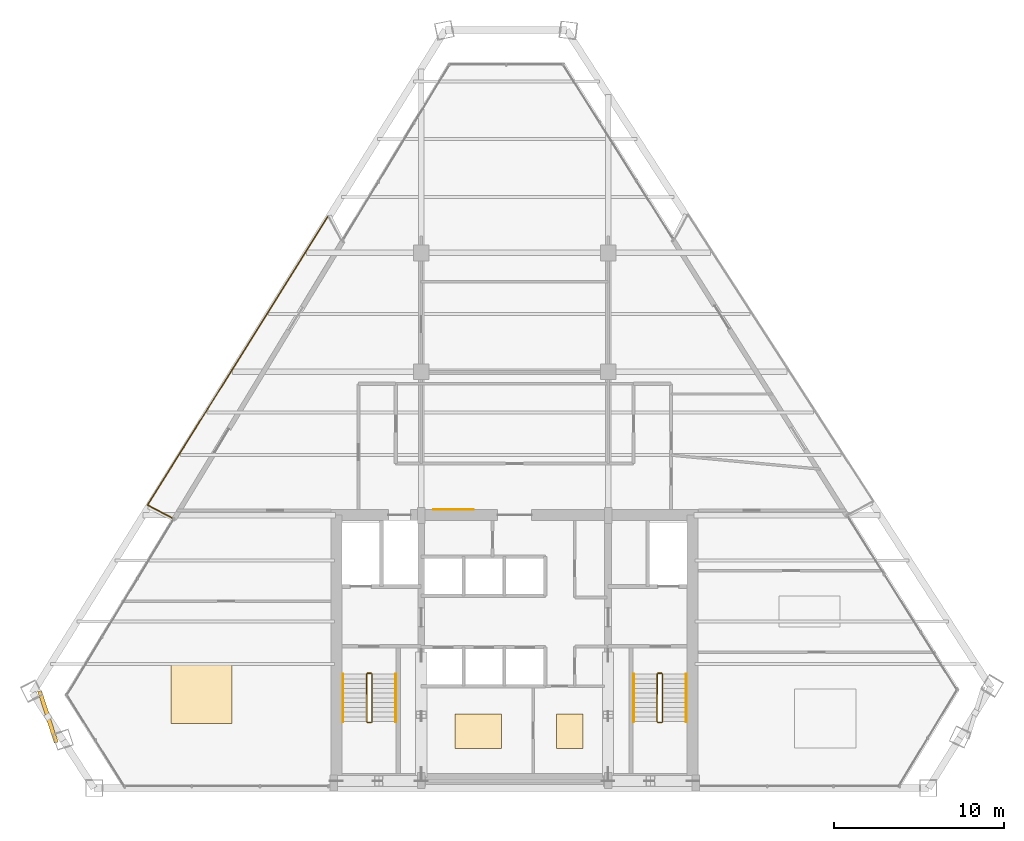
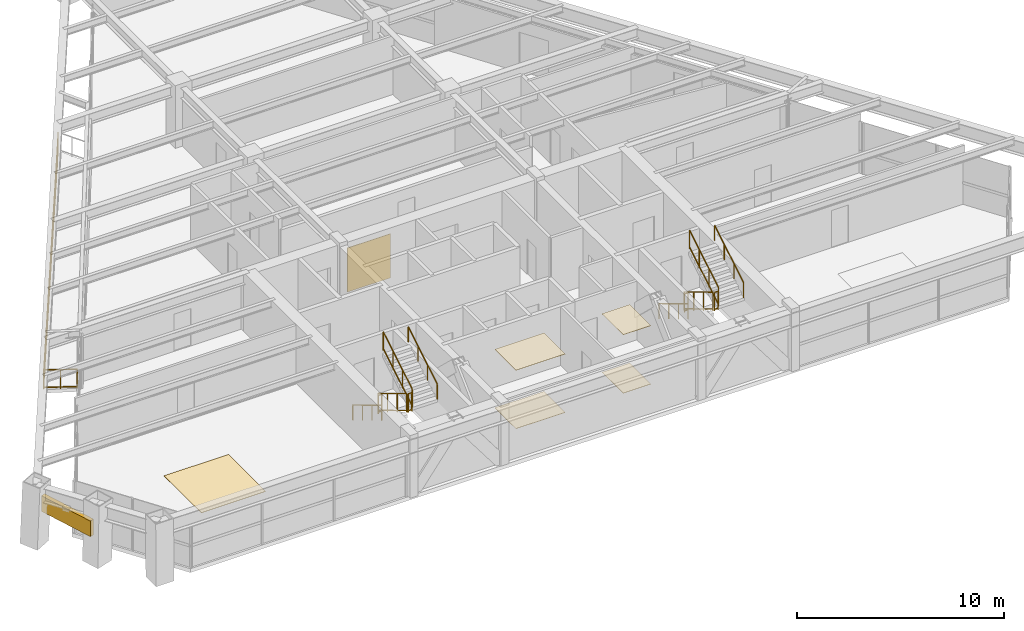
# One storey, part 11 of 12: 14 railings, 6 coverings, 1 shading device.
"""IFC4 building model written with IfcOpenShell, lengths in metres."""

from ifc_helpers import new_model, si_unit, direction, frame, origin, origin_2d, place, context, subcontext, project, spatial, rectangle, extrude, source, transform, mapped, material, layer, layer_set, type_object, type_shapes, element, save


model = new_model("IFC4")

# Units and contexts
model_context = context("Model", 3, precision=1e-05, world=origin(), true_north=direction((0.0, 1.0)))
body_context = subcontext(model_context, "Body", "Model", "MODEL_VIEW")
ifc_project = project(units=[si_unit("LENGTHUNIT", "METRE"), si_unit("AREAUNIT", "SQUARE_METRE"), si_unit("VOLUMEUNIT", "CUBIC_METRE"), si_unit("PLANEANGLEUNIT", "RADIAN"), si_unit("MASSUNIT", "GRAM", prefix="KILO")], contexts=[model_context])

# Site, building, storey
site_placement = place(None, origin())
site = spatial("IfcSite", under=ifc_project, at=site_placement, CompositionType="ELEMENT")
building_placement = place(site_placement, origin())
building = spatial("IfcBuilding", under=site, at=building_placement, Name="Varnakhor Terracotta Tower", CompositionType="ELEMENT")
storey_placement = place(building_placement, frame((0.0, 0.0, 208.0)))
storey = spatial("IfcBuildingStorey", under=building, at=storey_placement, Name="L53", CompositionType="ELEMENT", Elevation=208.0)

# Railings
ifc_material_1 = material(Name="Stainless Steel & Laminated Glass Guardrail", Category="steel")
railing_type_1 = type_object("IfcRailingType", Name="RLG-LOGGIA-GUARD-1150", PredefinedType="GUARDRAIL", material=ifc_material_1)
railing_1_placement = place(storey_placement, frame((-20.16796875, 15.906005859375, 0.0)))
element("IfcRailing", 1, at=railing_1_placement, inside=storey, type_object=railing_type_1, Name="L53 W Loggia Glass Guard 1", PredefinedType="GUARDRAIL", context=body_context, shape_type="SweptSolid", body=[
    extrude(rectangle(XDim=0.048095703125, YDim=0.048095703125, at=origin_2d()), frame((0.0, 0.0, 1.1259765625), z_axis=(-0.884892162884, 0.465795942519, 0.0), x_axis=(-0.465795942519, -0.884892162884, 0.0)), (0.0, 0.0, 1.0), 1.6259765625),
    extrude(rectangle(XDim=0.048095703125, YDim=0.048095703125, at=origin_2d()), frame((0.0, 0.0, 0.10009765625), z_axis=(-0.884892162884, 0.465795942519, 0.0), x_axis=(-0.465795942519, -0.884892162884, 0.0)), (0.0, 0.0, 1.0), 1.6259765625),
    extrude(rectangle(XDim=0.0419921875, YDim=0.0419921875, at=origin_2d()), origin(), (0.0, 0.0, 1.0), 1.101806640625),
    extrude(rectangle(XDim=0.0419921875, YDim=0.0419921875, at=origin_2d()), frame((-0.71923828125, 0.378662109375, 0.0)), (0.0, 0.0, 1.0), 1.101806640625),
    extrude(rectangle(XDim=0.0419921875, YDim=0.0419921875, at=origin_2d()), frame((-1.438720703125, 0.75732421875, 0.0)), (0.0, 0.0, 1.0), 1.101806640625),
])
railing_2_placement = place(storey_placement, frame((-21.606689453125, 16.663330078125, 0.0)))
element("IfcRailing", 2, at=railing_2_placement, inside=storey, type_object=railing_type_1, Name="L53 W Loggia Glass Guard 2", PredefinedType="GUARDRAIL", context=body_context, shape_type="SweptSolid", body=[
    extrude(rectangle(XDim=0.048095703125, YDim=0.048095703125, at=origin_2d()), frame((0.0, 0.0, 1.1259765625), z_axis=(0.52986979045, 0.848079008801, 0.0), x_axis=(-0.848079008801, 0.52986979045, 0.0)), (0.0, 0.0, 1.0), 20.051513671875),
    extrude(rectangle(XDim=0.048095703125, YDim=0.048095703125, at=origin_2d()), frame((0.0, 0.0, 0.10009765625), z_axis=(0.52986979045, 0.848079008801, 0.0), x_axis=(-0.848079008801, 0.52986979045, 0.0)), (0.0, 0.0, 1.0), 20.051513671875),
    extrude(rectangle(XDim=0.0419921875, YDim=0.0419921875, at=origin_2d()), origin(), (0.0, 0.0, 1.0), 1.101806640625),
    extrude(rectangle(XDim=0.0419921875, YDim=0.0419921875, at=origin_2d()), frame((0.708251953125, 1.1337890625, 0.0)), (0.0, 0.0, 1.0), 1.101806640625),
    extrude(rectangle(XDim=0.0419921875, YDim=0.0419921875, at=origin_2d()), frame((1.416748046875, 2.267333984375, 0.0)), (0.0, 0.0, 1.0), 1.101806640625),
    extrude(rectangle(XDim=0.0419921875, YDim=0.0419921875, at=origin_2d()), frame((2.125, 3.401123046875, 0.0)), (0.0, 0.0, 1.0), 1.101806640625),
    extrude(rectangle(XDim=0.0419921875, YDim=0.0419921875, at=origin_2d()), frame((2.833251953125, 4.53466796875, 0.0)), (0.0, 0.0, 1.0), 1.101806640625),
    extrude(rectangle(XDim=0.0419921875, YDim=0.0419921875, at=origin_2d()), frame((3.54150390625, 5.66845703125, 0.0)), (0.0, 0.0, 1.0), 1.101806640625),
    extrude(rectangle(XDim=0.0419921875, YDim=0.0419921875, at=origin_2d()), frame((4.25, 6.80224609375, 0.0)), (0.0, 0.0, 1.0), 1.101806640625),
    extrude(rectangle(XDim=0.0419921875, YDim=0.0419921875, at=origin_2d()), frame((4.958251953125, 7.935791015625, 0.0)), (0.0, 0.0, 1.0), 1.101806640625),
    extrude(rectangle(XDim=0.0419921875, YDim=0.0419921875, at=origin_2d()), frame((5.66650390625, 9.069580078125, 0.0)), (0.0, 0.0, 1.0), 1.101806640625),
    extrude(rectangle(XDim=0.0419921875, YDim=0.0419921875, at=origin_2d()), frame((6.374755859375, 10.203125, 0.0)), (0.0, 0.0, 1.0), 1.101806640625),
    extrude(rectangle(XDim=0.0419921875, YDim=0.0419921875, at=origin_2d()), frame((7.083251953125, 11.3369140625, 0.0)), (0.0, 0.0, 1.0), 1.101806640625),
    extrude(rectangle(XDim=0.0419921875, YDim=0.0419921875, at=origin_2d()), frame((7.79150390625, 12.470703125, 0.0)), (0.0, 0.0, 1.0), 1.101806640625),
    extrude(rectangle(XDim=0.0419921875, YDim=0.0419921875, at=origin_2d()), frame((8.499755859375, 13.604248046875, 0.0)), (0.0, 0.0, 1.0), 1.101806640625),
    extrude(rectangle(XDim=0.0419921875, YDim=0.0419921875, at=origin_2d()), frame((9.2080078125, 14.738037109375, 0.0)), (0.0, 0.0, 1.0), 1.101806640625),
    extrude(rectangle(XDim=0.0419921875, YDim=0.0419921875, at=origin_2d()), frame((9.91650390625, 15.87158203125, 0.0)), (0.0, 0.0, 1.0), 1.101806640625),
    extrude(rectangle(XDim=0.0419921875, YDim=0.0419921875, at=origin_2d()), frame((10.624755859375, 17.00537109375, 0.0)), (0.0, 0.0, 1.0), 1.101806640625),
])
ifc_material_2 = material(Name="Painted Steel Stairwell Guardrail", Category="steel")
railing_type_2 = type_object("IfcRailingType", Name="RLG-STAIR-GUARD-1120", PredefinedType="GUARDRAIL", material=ifc_material_2)
railing_3_placement = place(storey_placement, frame((-8.699951171875, 6.7099609375, 0.168212890625)))
element("IfcRailing", 3, at=railing_3_placement, inside=storey, type_object=railing_type_2, Name="L53 ST-1 stair guard 1", PredefinedType="GUARDRAIL", context=body_context, shape_type="SweptSolid", body=[
    extrude(rectangle(XDim=0.048095703125, YDim=0.048095703125, at=origin_2d()), frame((0.0, 0.0, 1.09619140625), z_axis=(0.0, -0.857242210791, 0.514913383045), x_axis=(1.0, 0.0, 0.0)), (0.0, 0.0, 1.0), 3.266357421875),
    extrude(rectangle(XDim=0.048095703125, YDim=0.048095703125, at=origin_2d()), frame((0.0, 0.0, 0.10009765625), z_axis=(0.0, -0.857242210791, 0.514913383045), x_axis=(1.0, 0.0, 0.0)), (0.0, 0.0, 1.0), 3.266357421875),
    extrude(rectangle(XDim=0.0419921875, YDim=0.0419921875, at=origin_2d()), origin(), (0.0, 0.0, 1.0), 1.072021484375),
    extrude(rectangle(XDim=0.0419921875, YDim=0.0419921875, at=origin_2d()), frame((0.0, -0.933349609375, 0.560546875)), (0.0, 0.0, 1.0), 1.072021484375),
    extrude(rectangle(XDim=0.0419921875, YDim=0.0419921875, at=origin_2d()), frame((0.0, -1.86669921875, 1.121337890625)), (0.0, 0.0, 1.0), 1.072021484375),
    extrude(rectangle(XDim=0.0419921875, YDim=0.0419921875, at=origin_2d()), frame((0.0, -2.800048828125, 1.681884765625)), (0.0, 0.0, 1.0), 1.072021484375),
])
railing_4_placement = place(storey_placement, frame((-8.64990234375, 3.860107421875, 1.85009765625)))
element("IfcRailing", 4, at=railing_4_placement, inside=storey, type_object=railing_type_2, Name="L53 ST-1 stair guard 2", PredefinedType="GUARDRAIL", context=body_context, shape_type="SweptSolid", body=[
    extrude(rectangle(XDim=0.048095703125, YDim=0.048095703125, at=origin_2d()), frame((0.0, 0.0, 1.09619140625), z_axis=(1.0, 0.0, 0.0), x_axis=(0.0, 1.0, 0.0)), (0.0, 0.0, 1.0), 0.199951171875),
    extrude(rectangle(XDim=0.048095703125, YDim=0.048095703125, at=origin_2d()), frame((0.0, 0.0, 0.10009765625), z_axis=(1.0, 0.0, 0.0), x_axis=(0.0, 1.0, 0.0)), (0.0, 0.0, 1.0), 0.199951171875),
    extrude(rectangle(XDim=0.0419921875, YDim=0.0419921875, at=origin_2d()), origin(), (0.0, 0.0, 1.0), 1.072021484375),
    extrude(rectangle(XDim=0.0419921875, YDim=0.0419921875, at=origin_2d()), frame((0.199951171875, 0.0, 0.0)), (0.0, 0.0, 1.0), 1.072021484375),
])
railing_5_placement = place(storey_placement, frame((-8.39990234375, 3.909912109375, 2.01806640625)))
element("IfcRailing", 5, at=railing_5_placement, inside=storey, type_object=railing_type_2, Name="L53 ST-1 stair guard 3", PredefinedType="GUARDRAIL", context=body_context, shape_type="SweptSolid", body=[
    extrude(rectangle(XDim=0.048095703125, YDim=0.048095703125, at=origin_2d()), frame((0.0, 0.0, 1.09619140625), z_axis=(0.0, 0.857242210791, 0.514913383045), x_axis=(-1.0, 0.0, 0.0)), (0.0, 0.0, 1.0), 3.266357421875),
    extrude(rectangle(XDim=0.048095703125, YDim=0.048095703125, at=origin_2d()), frame((0.0, 0.0, 0.10009765625), z_axis=(0.0, 0.857242210791, 0.514913383045), x_axis=(-1.0, 0.0, 0.0)), (0.0, 0.0, 1.0), 3.266357421875),
    extrude(rectangle(XDim=0.0419921875, YDim=0.0419921875, at=origin_2d()), origin(), (0.0, 0.0, 1.0), 1.072021484375),
    extrude(rectangle(XDim=0.0419921875, YDim=0.0419921875, at=origin_2d()), frame((0.0, 0.933349609375, 0.560546875)), (0.0, 0.0, 1.0), 1.072021484375),
    extrude(rectangle(XDim=0.0419921875, YDim=0.0419921875, at=origin_2d()), frame((0.0, 1.86669921875, 1.121337890625)), (0.0, 0.0, 1.0), 1.072021484375),
    extrude(rectangle(XDim=0.0419921875, YDim=0.0419921875, at=origin_2d()), frame((0.0, 2.800048828125, 1.681884765625)), (0.0, 0.0, 1.0), 1.072021484375),
])
railing_6_placement = place(storey_placement, frame((-8.64990234375, 6.760009765625, 0.0)))
element("IfcRailing", 6, at=railing_6_placement, inside=storey, type_object=railing_type_2, Name="L53 ST-1 stair guard 4", PredefinedType="GUARDRAIL", context=body_context, shape_type="SweptSolid", body=[
    extrude(rectangle(XDim=0.048095703125, YDim=0.048095703125, at=origin_2d()), frame((0.0, 0.0, 1.09619140625), z_axis=(1.0, 0.0, 0.0), x_axis=(0.0, 1.0, 0.0)), (0.0, 0.0, 1.0), 0.199951171875),
    extrude(rectangle(XDim=0.048095703125, YDim=0.048095703125, at=origin_2d()), frame((0.0, 0.0, 0.10009765625), z_axis=(1.0, 0.0, 0.0), x_axis=(0.0, 1.0, 0.0)), (0.0, 0.0, 1.0), 0.199951171875),
    extrude(rectangle(XDim=0.0419921875, YDim=0.0419921875, at=origin_2d()), origin(), (0.0, 0.0, 1.0), 1.072021484375),
    extrude(rectangle(XDim=0.0419921875, YDim=0.0419921875, at=origin_2d()), frame((0.199951171875, 0.0, 0.0)), (0.0, 0.0, 1.0), 1.072021484375),
])
railing_7_placement = place(storey_placement, frame((8.39990234375, 6.7099609375, 0.168212890625)))
element("IfcRailing", 7, at=railing_7_placement, inside=storey, type_object=railing_type_2, Name="L53 ST-2 stair guard 1", PredefinedType="GUARDRAIL", context=body_context, shape_type="SweptSolid", body=[
    extrude(rectangle(XDim=0.048095703125, YDim=0.048095703125, at=origin_2d()), frame((0.0, 0.0, 1.09619140625), z_axis=(0.0, -0.857242210791, 0.514913383045), x_axis=(1.0, 0.0, 0.0)), (0.0, 0.0, 1.0), 3.266357421875),
    extrude(rectangle(XDim=0.048095703125, YDim=0.048095703125, at=origin_2d()), frame((0.0, 0.0, 0.10009765625), z_axis=(0.0, -0.857242210791, 0.514913383045), x_axis=(1.0, 0.0, 0.0)), (0.0, 0.0, 1.0), 3.266357421875),
    extrude(rectangle(XDim=0.0419921875, YDim=0.0419921875, at=origin_2d()), origin(), (0.0, 0.0, 1.0), 1.072021484375),
    extrude(rectangle(XDim=0.0419921875, YDim=0.0419921875, at=origin_2d()), frame((0.0, -0.933349609375, 0.560546875)), (0.0, 0.0, 1.0), 1.072021484375),
    extrude(rectangle(XDim=0.0419921875, YDim=0.0419921875, at=origin_2d()), frame((0.0, -1.86669921875, 1.121337890625)), (0.0, 0.0, 1.0), 1.072021484375),
    extrude(rectangle(XDim=0.0419921875, YDim=0.0419921875, at=origin_2d()), frame((0.0, -2.800048828125, 1.681884765625)), (0.0, 0.0, 1.0), 1.072021484375),
])
railing_8_placement = place(storey_placement, frame((8.449951171875, 3.860107421875, 1.85009765625)))
element("IfcRailing", 8, at=railing_8_placement, inside=storey, type_object=railing_type_2, Name="L53 ST-2 stair guard 2", PredefinedType="GUARDRAIL", context=body_context, shape_type="SweptSolid", body=[
    extrude(rectangle(XDim=0.048095703125, YDim=0.048095703125, at=origin_2d()), frame((0.0, 0.0, 1.09619140625), z_axis=(1.0, 0.0, 0.0), x_axis=(0.0, 1.0, 0.0)), (0.0, 0.0, 1.0), 0.199951171875),
    extrude(rectangle(XDim=0.048095703125, YDim=0.048095703125, at=origin_2d()), frame((0.0, 0.0, 0.10009765625), z_axis=(1.0, 0.0, 0.0), x_axis=(0.0, 1.0, 0.0)), (0.0, 0.0, 1.0), 0.199951171875),
    extrude(rectangle(XDim=0.0419921875, YDim=0.0419921875, at=origin_2d()), origin(), (0.0, 0.0, 1.0), 1.072021484375),
    extrude(rectangle(XDim=0.0419921875, YDim=0.0419921875, at=origin_2d()), frame((0.199951171875, 0.0, 0.0)), (0.0, 0.0, 1.0), 1.072021484375),
])
railing_9_placement = place(storey_placement, frame((8.699951171875, 3.909912109375, 2.01806640625)))
element("IfcRailing", 9, at=railing_9_placement, inside=storey, type_object=railing_type_2, Name="L53 ST-2 stair guard 3", PredefinedType="GUARDRAIL", context=body_context, shape_type="SweptSolid", body=[
    extrude(rectangle(XDim=0.048095703125, YDim=0.048095703125, at=origin_2d()), frame((0.0, 0.0, 1.09619140625), z_axis=(0.0, 0.857242210791, 0.514913383045), x_axis=(-1.0, 0.0, 0.0)), (0.0, 0.0, 1.0), 3.266357421875),
    extrude(rectangle(XDim=0.048095703125, YDim=0.048095703125, at=origin_2d()), frame((0.0, 0.0, 0.10009765625), z_axis=(0.0, 0.857242210791, 0.514913383045), x_axis=(-1.0, 0.0, 0.0)), (0.0, 0.0, 1.0), 3.266357421875),
    extrude(rectangle(XDim=0.0419921875, YDim=0.0419921875, at=origin_2d()), origin(), (0.0, 0.0, 1.0), 1.072021484375),
    extrude(rectangle(XDim=0.0419921875, YDim=0.0419921875, at=origin_2d()), frame((0.0, 0.933349609375, 0.560546875)), (0.0, 0.0, 1.0), 1.072021484375),
    extrude(rectangle(XDim=0.0419921875, YDim=0.0419921875, at=origin_2d()), frame((0.0, 1.86669921875, 1.121337890625)), (0.0, 0.0, 1.0), 1.072021484375),
    extrude(rectangle(XDim=0.0419921875, YDim=0.0419921875, at=origin_2d()), frame((0.0, 2.800048828125, 1.681884765625)), (0.0, 0.0, 1.0), 1.072021484375),
])
railing_10_placement = place(storey_placement, frame((8.449951171875, 6.760009765625, 0.0)))
element("IfcRailing", 10, at=railing_10_placement, inside=storey, type_object=railing_type_2, Name="L53 ST-2 stair guard 4", PredefinedType="GUARDRAIL", context=body_context, shape_type="SweptSolid", body=[
    extrude(rectangle(XDim=0.048095703125, YDim=0.048095703125, at=origin_2d()), frame((0.0, 0.0, 1.09619140625), z_axis=(1.0, 0.0, 0.0), x_axis=(0.0, 1.0, 0.0)), (0.0, 0.0, 1.0), 0.199951171875),
    extrude(rectangle(XDim=0.048095703125, YDim=0.048095703125, at=origin_2d()), frame((0.0, 0.0, 0.10009765625), z_axis=(1.0, 0.0, 0.0), x_axis=(0.0, 1.0, 0.0)), (0.0, 0.0, 1.0), 0.199951171875),
    extrude(rectangle(XDim=0.0419921875, YDim=0.0419921875, at=origin_2d()), origin(), (0.0, 0.0, 1.0), 1.072021484375),
    extrude(rectangle(XDim=0.0419921875, YDim=0.0419921875, at=origin_2d()), frame((0.199951171875, 0.0, 0.0)), (0.0, 0.0, 1.0), 1.072021484375),
])
ifc_material_3 = material(Name="Brushed Stainless Steel Handrail", Category="steel")
railing_type_3 = type_object("IfcRailingType", Name="RLG-STAIR-HANDRAIL-920", PredefinedType="HANDRAIL", material=ifc_material_3)
railing_11_placement = place(storey_placement, frame((-10.10009765625, 6.7099609375, 0.168212890625)))
element("IfcRailing", 11, at=railing_11_placement, inside=storey, type_object=railing_type_3, Name="L53 ST-1 stair handrail 1", PredefinedType="HANDRAIL", context=body_context, shape_type="SweptSolid", body=[
    extrude(rectangle(XDim=0.048095703125, YDim=0.048095703125, at=origin_2d()), frame((0.0, 0.0, 0.89599609375), z_axis=(0.0, -0.857242210791, 0.514913383045), x_axis=(1.0, 0.0, 0.0)), (0.0, 0.0, 1.0), 3.266357421875),
    extrude(rectangle(XDim=0.0419921875, YDim=0.0419921875, at=origin_2d()), origin(), (0.0, 0.0, 1.0), 0.871826171875),
    extrude(rectangle(XDim=0.0419921875, YDim=0.0419921875, at=origin_2d()), frame((0.0, -0.933349609375, 0.560546875)), (0.0, 0.0, 1.0), 0.871826171875),
    extrude(rectangle(XDim=0.0419921875, YDim=0.0419921875, at=origin_2d()), frame((0.0, -1.86669921875, 1.121337890625)), (0.0, 0.0, 1.0), 0.871826171875),
    extrude(rectangle(XDim=0.0419921875, YDim=0.0419921875, at=origin_2d()), frame((0.0, -2.800048828125, 1.681884765625)), (0.0, 0.0, 1.0), 0.871826171875),
])
railing_12_placement = place(storey_placement, frame((-7.0, 3.909912109375, 2.01806640625)))
element("IfcRailing", 12, at=railing_12_placement, inside=storey, type_object=railing_type_3, Name="L53 ST-1 stair handrail 2", PredefinedType="HANDRAIL", context=body_context, shape_type="SweptSolid", body=[
    extrude(rectangle(XDim=0.048095703125, YDim=0.048095703125, at=origin_2d()), frame((0.0, 0.0, 0.89599609375), z_axis=(0.0, 0.857242210791, 0.514913383045), x_axis=(-1.0, 0.0, 0.0)), (0.0, 0.0, 1.0), 3.266357421875),
    extrude(rectangle(XDim=0.0419921875, YDim=0.0419921875, at=origin_2d()), origin(), (0.0, 0.0, 1.0), 0.871826171875),
    extrude(rectangle(XDim=0.0419921875, YDim=0.0419921875, at=origin_2d()), frame((0.0, 0.933349609375, 0.560546875)), (0.0, 0.0, 1.0), 0.871826171875),
    extrude(rectangle(XDim=0.0419921875, YDim=0.0419921875, at=origin_2d()), frame((0.0, 1.86669921875, 1.121337890625)), (0.0, 0.0, 1.0), 0.871826171875),
    extrude(rectangle(XDim=0.0419921875, YDim=0.0419921875, at=origin_2d()), frame((0.0, 2.800048828125, 1.681884765625)), (0.0, 0.0, 1.0), 0.871826171875),
])
railing_13_placement = place(storey_placement, frame((7.0, 6.7099609375, 0.168212890625)))
element("IfcRailing", 13, at=railing_13_placement, inside=storey, type_object=railing_type_3, Name="L53 ST-2 stair handrail 1", PredefinedType="HANDRAIL", context=body_context, shape_type="SweptSolid", body=[
    extrude(rectangle(XDim=0.048095703125, YDim=0.048095703125, at=origin_2d()), frame((0.0, 0.0, 0.89599609375), z_axis=(0.0, -0.857242210791, 0.514913383045), x_axis=(1.0, 0.0, 0.0)), (0.0, 0.0, 1.0), 3.266357421875),
    extrude(rectangle(XDim=0.0419921875, YDim=0.0419921875, at=origin_2d()), origin(), (0.0, 0.0, 1.0), 0.871826171875),
    extrude(rectangle(XDim=0.0419921875, YDim=0.0419921875, at=origin_2d()), frame((0.0, -0.933349609375, 0.560546875)), (0.0, 0.0, 1.0), 0.871826171875),
    extrude(rectangle(XDim=0.0419921875, YDim=0.0419921875, at=origin_2d()), frame((0.0, -1.86669921875, 1.121337890625)), (0.0, 0.0, 1.0), 0.871826171875),
    extrude(rectangle(XDim=0.0419921875, YDim=0.0419921875, at=origin_2d()), frame((0.0, -2.800048828125, 1.681884765625)), (0.0, 0.0, 1.0), 0.871826171875),
])
railing_14_placement = place(storey_placement, frame((10.10009765625, 3.909912109375, 2.01806640625)))
element("IfcRailing", 14, at=railing_14_placement, inside=storey, type_object=railing_type_3, Name="L53 ST-2 stair handrail 2", PredefinedType="HANDRAIL", context=body_context, shape_type="SweptSolid", body=[
    extrude(rectangle(XDim=0.048095703125, YDim=0.048095703125, at=origin_2d()), frame((0.0, 0.0, 0.89599609375), z_axis=(0.0, 0.857242210791, 0.514913383045), x_axis=(-1.0, 0.0, 0.0)), (0.0, 0.0, 1.0), 3.266357421875),
    extrude(rectangle(XDim=0.0419921875, YDim=0.0419921875, at=origin_2d()), origin(), (0.0, 0.0, 1.0), 0.871826171875),
    extrude(rectangle(XDim=0.0419921875, YDim=0.0419921875, at=origin_2d()), frame((0.0, 0.933349609375, 0.560546875)), (0.0, 0.0, 1.0), 0.871826171875),
    extrude(rectangle(XDim=0.0419921875, YDim=0.0419921875, at=origin_2d()), frame((0.0, 1.86669921875, 1.121337890625)), (0.0, 0.0, 1.0), 0.871826171875),
    extrude(rectangle(XDim=0.0419921875, YDim=0.0419921875, at=origin_2d()), frame((0.0, 2.800048828125, 1.681884765625)), (0.0, 0.0, 1.0), 0.871826171875),
])

# Shading device
ifc_material_4 = material(Name="Extruded Architectural Terracotta Screen", Category="masonry")
shading_device_type = type_object("IfcShadingDeviceType", Name="TERRACOTTA SOLAR SCREEN W", PredefinedType="USERDEFINED", material=ifc_material_4)
shared_shape_1 = source(origin(), body_context, "Body", "SweptSolid", [
    extrude(rectangle(XDim=3.199951171875, YDim=0.239990234375, at=origin_2d()), origin(), (0.0, 0.0, 1.0), 0.919921875),
])
type_shapes(shading_device_type, [shared_shape_1])
shading_device_placement = place(storey_placement, frame((-27.472900390625, 4.197509765625, 1.7099609375), z_axis=(0.0, 0.0, 1.0), x_axis=(0.306509464921, -0.951867610497, 0.0)))
element("IfcShadingDevice", 15, at=shading_device_placement, inside=storey, type_object=shading_device_type, Name="L53 W Terracotta Solar Screen", ObjectType="SCREEN", PredefinedType="USERDEFINED", context=body_context, shape_type="MappedRepresentation", body=[
    mapped(shared_shape_1, transform((0.0, 0.0, 0.0), scale=1.0)),
])

# Coverings
ifc_material_5 = material(Name="Extruded Architectural Terracotta Cladding", Category="masonry")
ifc_layer_1 = layer(ifc_material_5, 0.044921875, Name="Extruded Architectural Terracotta Cladding")
ifc_layer_set_1 = layer_set([ifc_layer_1], Name="Extruded Architectural Terracotta Cladding")
covering_type_1 = type_object("IfcCoveringType", Name="COV-CLAD-TERRACOTTA", PredefinedType="CLADDING", material=ifc_layer_set_1)
shared_shape_2 = source(origin(), body_context, "Body", "SweptSolid", [
    extrude(rectangle(XDim=2.39990234375, YDim=0.030029296875, at=origin_2d()), origin(), (0.0, 0.0, 1.0), 2.60009765625),
])
type_shapes(covering_type_1, [shared_shape_2])
covering_1_placement = place(storey_placement, frame((-3.60009765625, 16.412109375, 0.0), z_axis=(0.0, 0.0, 1.0), x_axis=(1.0, 0.0, 0.0)))
element("IfcCovering", 16, at=covering_1_placement, inside=storey, type_object=covering_type_1, Name="L53 Core Lobby Limestone Cladding", PredefinedType="CLADDING", context=body_context, shape_type="MappedRepresentation", body=[
    mapped(shared_shape_2, transform((0.0, 0.0, 0.0), scale=1.0)),
])
ifc_material_6 = material(Name="Honed Riyadh Limestone Flooring", Category="masonry")
ifc_layer_2 = layer(ifc_material_6, 0.030029296875, Name="Honed Riyadh Limestone Flooring")
ifc_layer_set_2 = layer_set([ifc_layer_2], Name="Honed Riyadh Limestone Flooring")
covering_type_2 = type_object("IfcCoveringType", Name="COV-FLOOR-LIMESTONE", PredefinedType="FLOORING", material=ifc_layer_set_2)
shared_shape_3 = source(origin(), body_context, "Body", "SweptSolid", [
    extrude(rectangle(XDim=3.60009765625, YDim=3.60009765625, at=origin_2d()), origin(), (0.0, 0.0, 1.0), 0.02001953125),
])
covering_2_placement = place(storey_placement, frame((-18.43505859375, 5.60205078125, 0.0), z_axis=(0.0, 0.0, 1.0), x_axis=(1.0, 0.0, 0.0)))
element("IfcCovering", 17, at=covering_2_placement, inside=storey, type_object=covering_type_2, Name="L53 Honed Stone Flooring 4", PredefinedType="FLOORING", context=body_context, shape_type="MappedRepresentation", body=[
    mapped(shared_shape_3, transform((0.0, 0.0, 0.0), scale=1.0)),
])
shared_shape_4 = source(origin(), body_context, "Body", "SweptSolid", [
    extrude(rectangle(XDim=2.75, YDim=2.041015625, at=origin_2d()), origin(), (0.0, 0.0, 1.0), 0.02001953125),
])
covering_3_placement = place(storey_placement, frame((-2.139892578125, 3.35498046875, 0.0), z_axis=(0.0, 0.0, 1.0), x_axis=(1.0, 0.0, 0.0)))
element("IfcCovering", 18, at=covering_3_placement, inside=storey, type_object=covering_type_2, Name="L53 Honed Stone Flooring 1", PredefinedType="FLOORING", context=body_context, shape_type="MappedRepresentation", body=[
    mapped(shared_shape_4, transform((0.0, 0.0, 0.0), scale=1.0)),
])
ifc_material_7 = material(Name="Perforated Acoustic Mineral-Fibre Ceiling", Category="gypsum")
ifc_layer_3 = layer(ifc_material_7, 0.02490234375, Name="Perforated Acoustic Mineral-Fibre Ceiling")
ifc_layer_set_3 = layer_set([ifc_layer_3], Name="Perforated Acoustic Mineral-Fibre Ceiling")
covering_type_3 = type_object("IfcCoveringType", Name="COV-CEILING-ACOUSTIC", PredefinedType="CEILING", material=ifc_layer_set_3)
shared_shape_5 = source(origin(), body_context, "Body", "SweptSolid", [
    extrude(rectangle(XDim=2.75, YDim=2.041015625, at=origin_2d()), origin(), (0.0, 0.0, 1.0), 0.02392578125),
])
covering_4_placement = place(storey_placement, frame((-2.139892578125, 3.35498046875, 3.446044921875), z_axis=(0.0, 0.0, 1.0), x_axis=(1.0, 0.0, 0.0)))
element("IfcCovering", 19, at=covering_4_placement, inside=storey, type_object=covering_type_3, Name="L53 Acoustic Ceiling Panel 1", PredefinedType="CEILING", context=body_context, shape_type="MappedRepresentation", body=[
    mapped(shared_shape_5, transform((0.0, 0.0, 0.0), scale=1.0)),
])
shared_shape_6 = source(origin(), body_context, "Body", "SweptSolid", [
    extrude(rectangle(XDim=1.5400390625, YDim=2.041015625, at=origin_2d()), origin(), (0.0, 0.0, 1.0), 0.02001953125),
])
covering_5_placement = place(storey_placement, frame((3.239990234375, 3.35498046875, 0.0), z_axis=(0.0, 0.0, 1.0), x_axis=(1.0, 0.0, 0.0)))
element("IfcCovering", 20, at=covering_5_placement, inside=storey, type_object=covering_type_2, Name="L53 Honed Stone Flooring 2", PredefinedType="FLOORING", context=body_context, shape_type="MappedRepresentation", body=[
    mapped(shared_shape_6, transform((0.0, 0.0, 0.0), scale=1.0)),
])
shared_shape_7 = source(origin(), body_context, "Body", "SweptSolid", [
    extrude(rectangle(XDim=1.5400390625, YDim=2.041015625, at=origin_2d()), origin(), (0.0, 0.0, 1.0), 0.02392578125),
])
covering_6_placement = place(storey_placement, frame((3.239990234375, 3.35498046875, 3.446044921875), z_axis=(0.0, 0.0, 1.0), x_axis=(1.0, 0.0, 0.0)))
element("IfcCovering", 21, at=covering_6_placement, inside=storey, type_object=covering_type_3, Name="L53 Acoustic Ceiling Panel 2", PredefinedType="CEILING", context=body_context, shape_type="MappedRepresentation", body=[
    mapped(shared_shape_7, transform((0.0, 0.0, 0.0), scale=1.0)),
])

save(model, "model.ifc")
